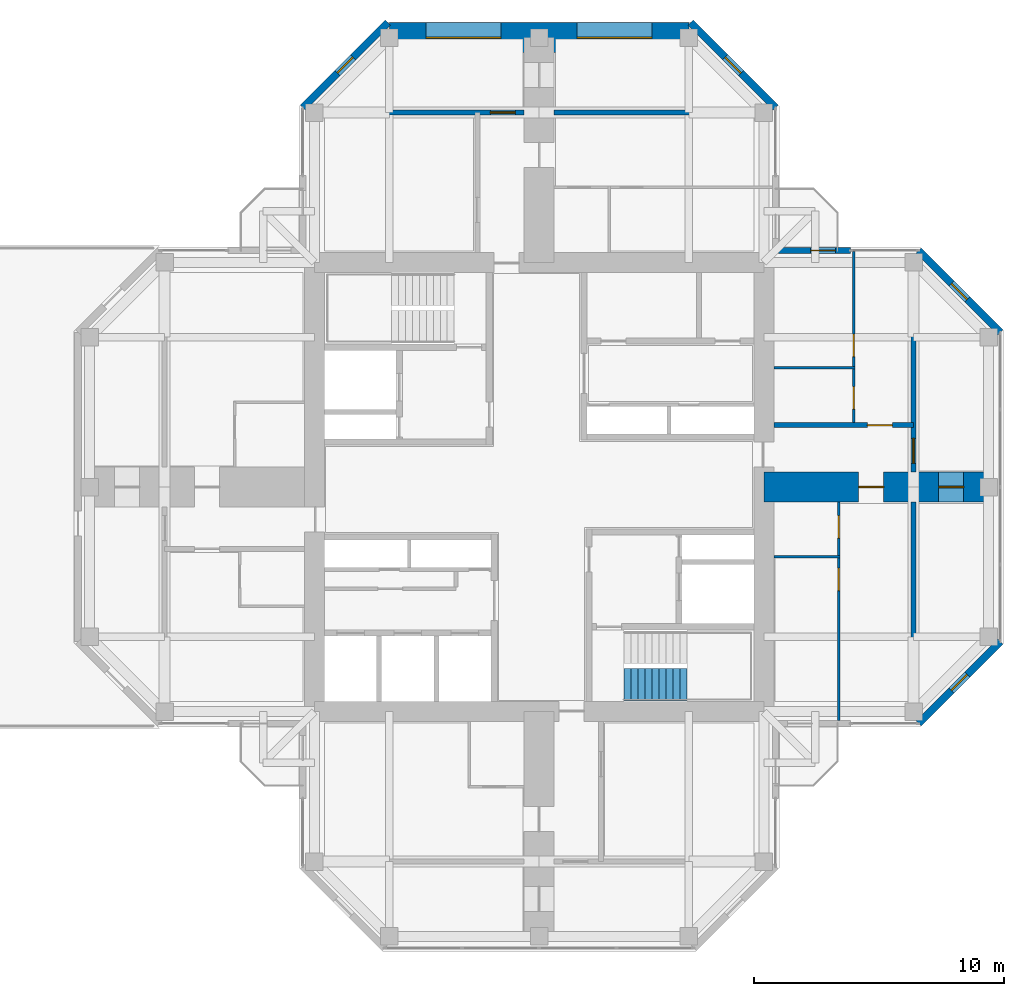
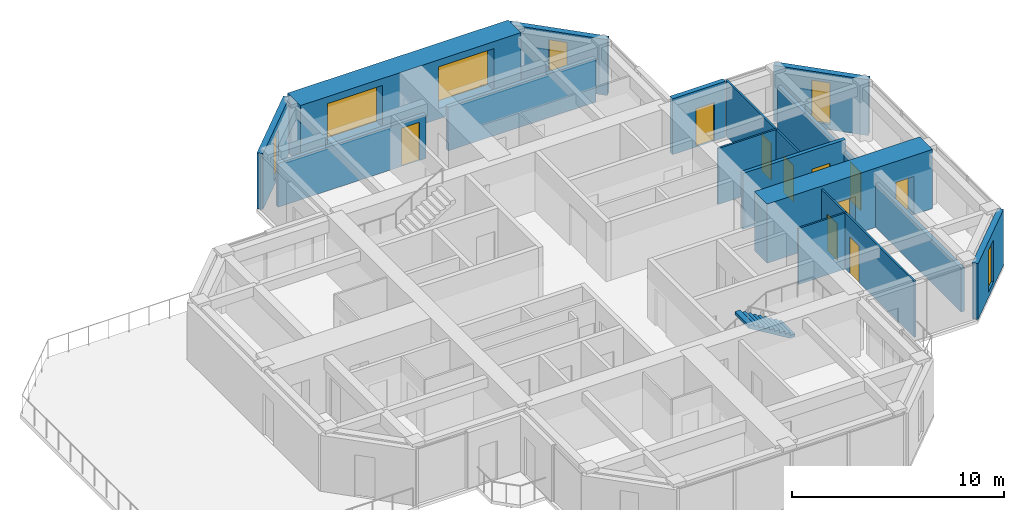
# One storey, part 11 of 14: 16 walls, 10 doors, 6 windows, 1 stair flight, 16 openings, 1 element without a shape of its own.
"""IFC4 building model written with IfcOpenShell, lengths in metres."""

from ifc_helpers import new_model, si_unit, direction, frame, frame_2d, origin, place, context, subcontext, project, spatial, polyline, rectangle, hollow_rectangle, outline, extrude, material, layer, layer_set, constituent, constituent_set, type_object, element, fill, aggregate, save


model = new_model("IFC4")

# Units and contexts
model_context = context("Model", 3, precision=1e-05, world=origin(), true_north=direction((0.0, 1.0)))
body_context = subcontext(model_context, "Body", "Model", "MODEL_VIEW")
ifc_project = project(units=[si_unit("LENGTHUNIT", "METRE"), si_unit("AREAUNIT", "SQUARE_METRE"), si_unit("VOLUMEUNIT", "CUBIC_METRE"), si_unit("PLANEANGLEUNIT", "RADIAN"), si_unit("MASSUNIT", "GRAM", prefix="KILO")], contexts=[model_context])

# Site, building, storey
site_placement = place(None, origin())
site = spatial("IfcSite", under=ifc_project, at=site_placement, CompositionType="ELEMENT")
building_placement = place(site_placement, origin())
building = spatial("IfcBuilding", under=site, at=building_placement, Name="Torre Cruceta", CompositionType="ELEMENT")
storey_placement = place(building_placement, frame((0.0, 0.0, 257.699951171875)))
storey = spatial("IfcBuildingStorey", under=building, at=storey_placement, Name="L66", CompositionType="ELEMENT", Elevation=257.699951171875)

# Wall
ifc_material_1 = material(Name="Water-resistant plasterboard on steel studs", Category="steel")
ifc_layer_1 = layer(ifc_material_1, 0.10009765625)
ifc_layer_set_1 = layer_set([ifc_layer_1], Name="Water-resistant plasterboard on steel studs")
wall_type_1 = type_object("IfcWallType", Name="BATHROOM WALL 100", PredefinedType="PARTITIONING", material=ifc_layer_set_1)
wall_1_placement = place(storey_placement, frame((9.39990234375, 4.77490234375, 0.0), z_axis=(0.0, 0.0, 1.0), x_axis=(1.0, 0.0, 0.0)))
element("IfcWall", 1, at=wall_1_placement, inside=storey, type_object=wall_type_1, Name="PT4 L66-E-U1LBB", PredefinedType="PARTITIONING", context=body_context, shape_type="SweptSolid", body=[
    extrude(rectangle(XDim=3.25, YDim=0.10009765625, at=frame_2d((1.625, 0.0))), origin(), (0.0, 0.0, 1.0), 3.219970703125),
])

# Wall, openings, doors
wall_2_placement = place(storey_placement, frame((12.60009765625, 2.574951171875, 0.0), z_axis=(0.0, 0.0, 1.0), x_axis=(0.0, 1.0, 0.0)))
wall_2 = element("IfcWall", 2, at=wall_2_placement, inside=storey, type_object=wall_type_1, Name="PT4 L66-E-U1LBS", PredefinedType="PARTITIONING", context=body_context, shape_type="SweptSolid", body=[
    extrude(rectangle(XDim=6.85498046875, YDim=0.10009765625, at=frame_2d((3.427490234375, 0.0))), origin(), (0.0, 0.0, 1.0), 3.219970703125),
])
opening_1_placement = place(wall_2_placement, frame((0.550048828125, 0.0, 0.0)))
opening_1 = element("IfcOpeningElement", 3, at=opening_1_placement, cuts=wall_2, Name="Opening D7", PredefinedType="OPENING", context=body_context, shape_type="SweptSolid", body=[
    extrude(rectangle(XDim=0.89990234375, YDim=2.10009765625, at=frame_2d((0.449951171875, 1.050048828125))), frame((0.0, 0.06005859375, 0.0), z_axis=(0.0, -1.0, 0.0), x_axis=(1.0, 0.0, 0.0)), (0.0, 0.0, 1.0), 0.1201171875),
])
opening_2_placement = place(wall_2_placement, frame((2.64990234375, 0.0, 0.0)))
opening_2 = element("IfcOpeningElement", 4, at=opening_2_placement, cuts=wall_2, Name="Opening D7", PredefinedType="OPENING", context=body_context, shape_type="SweptSolid", body=[
    extrude(rectangle(XDim=0.89990234375, YDim=2.10009765625, at=frame_2d((0.449951171875, 1.050048828125))), frame((0.0, 0.06005859375, 0.0), z_axis=(0.0, -1.0, 0.0), x_axis=(1.0, 0.0, 0.0)), (0.0, 0.0, 1.0), 0.1201171875),
])
ifc_material_2 = material(Name="Timber door", Category="wood")
door_type_1 = type_object("IfcDoorType", Name="BATHROOM DOOR 900X2100", OperationType="SINGLE_SWING_LEFT", PredefinedType="DOOR", material=ifc_material_2)
door_1_placement = place(opening_1_placement, origin())
door_1 = element("IfcDoor", 5, at=door_1_placement, inside=storey, type_object=door_type_1, Name="D7 L66-E-U1LBS-D1", OperationType="SINGLE_SWING_LEFT", OverallHeight=2.10009765625, OverallWidth=0.89990234375, PredefinedType="DOOR", context=body_context, shape_type="SweptSolid", body=[
    extrude(rectangle(XDim=0.89990234375, YDim=2.10009765625, at=frame_2d((0.449951171875, 1.050048828125))), frame((0.0, 0.02490234375, 0.0), z_axis=(0.0, -1.0, 0.0), x_axis=(1.0, 0.0, 0.0)), (0.0, 0.0, 1.0), 0.050048828125),
])
fill(opening_1, door_1)
door_2_placement = place(opening_2_placement, origin())
door_2 = element("IfcDoor", 6, at=door_2_placement, inside=storey, type_object=door_type_1, Name="D7 L66-E-U1LBS-D2", OperationType="SINGLE_SWING_LEFT", OverallHeight=2.10009765625, OverallWidth=0.89990234375, PredefinedType="DOOR", context=body_context, shape_type="SweptSolid", body=[
    extrude(rectangle(XDim=0.89990234375, YDim=2.10009765625, at=frame_2d((0.449951171875, 1.050048828125))), frame((0.0, 0.02490234375, 0.0), z_axis=(0.0, -1.0, 0.0), x_axis=(1.0, 0.0, 0.0)), (0.0, 0.0, 1.0), 0.050048828125),
])
fill(opening_2, door_2)

# Wall
wall_3_placement = place(storey_placement, frame((9.39990234375, -2.800048828125, 0.0), z_axis=(0.0, 0.0, 1.0), x_axis=(1.0, 0.0, 0.0)))
element("IfcWall", 7, at=wall_3_placement, inside=storey, type_object=wall_type_1, Name="PT4 L66-E-U1RBB", PredefinedType="PARTITIONING", context=body_context, shape_type="SweptSolid", body=[
    extrude(rectangle(XDim=2.650146484375, YDim=0.10009765625, at=frame_2d((1.3251953125, 0.0))), origin(), (0.0, 0.0, 1.0), 3.219970703125),
])

# Wall, openings, doors
wall_4_placement = place(storey_placement, frame((12.0, -9.344970703125, 0.0), z_axis=(0.0, 0.0, 1.0), x_axis=(0.0, 1.0, 0.0)))
wall_4 = element("IfcWall", 8, at=wall_4_placement, inside=storey, type_object=wall_type_1, Name="PT4 L66-E-U1RBS", PredefinedType="PARTITIONING", context=body_context, shape_type="SweptSolid", body=[
    extrude(rectangle(XDim=8.744873046875, YDim=0.10009765625, at=frame_2d((4.37255859375, 0.0))), origin(), (0.0, 0.0, 1.0), 3.219970703125),
])
opening_3_placement = place(wall_4_placement, frame((5.195068359375, 0.0, 0.0)))
opening_3 = element("IfcOpeningElement", 9, at=opening_3_placement, cuts=wall_4, Name="Opening D7", PredefinedType="OPENING", context=body_context, shape_type="SweptSolid", body=[
    extrude(rectangle(XDim=0.89990234375, YDim=2.10009765625, at=frame_2d((0.449951171875, 1.050048828125))), frame((0.0, 0.06005859375, 0.0), z_axis=(0.0, -1.0, 0.0), x_axis=(1.0, 0.0, 0.0)), (0.0, 0.0, 1.0), 0.1201171875),
])
opening_4_placement = place(wall_4_placement, frame((7.294921875, 0.0, 0.0)))
opening_4 = element("IfcOpeningElement", 10, at=opening_4_placement, cuts=wall_4, Name="Opening D7", PredefinedType="OPENING", context=body_context, shape_type="SweptSolid", body=[
    extrude(rectangle(XDim=0.89990234375, YDim=2.10009765625, at=frame_2d((0.449951171875, 1.050048828125))), frame((0.0, 0.06005859375, 0.0), z_axis=(0.0, -1.0, 0.0), x_axis=(1.0, 0.0, 0.0)), (0.0, 0.0, 1.0), 0.1201171875),
])
door_3_placement = place(opening_3_placement, origin())
door_3 = element("IfcDoor", 11, at=door_3_placement, inside=storey, type_object=door_type_1, Name="D7 L66-E-U1RBS-D1", OperationType="SINGLE_SWING_RIGHT", OverallHeight=2.10009765625, OverallWidth=0.89990234375, PredefinedType="DOOR", context=body_context, shape_type="SweptSolid", body=[
    extrude(rectangle(XDim=0.89990234375, YDim=2.10009765625, at=frame_2d((0.449951171875, 1.050048828125))), frame((0.0, 0.02490234375, 0.0), z_axis=(0.0, -1.0, 0.0), x_axis=(1.0, 0.0, 0.0)), (0.0, 0.0, 1.0), 0.050048828125),
])
fill(opening_3, door_3)
door_4_placement = place(opening_4_placement, origin())
door_4 = element("IfcDoor", 12, at=door_4_placement, inside=storey, type_object=door_type_1, Name="D7 L66-E-U1RBS-D2", OperationType="SINGLE_SWING_RIGHT", OverallHeight=2.10009765625, OverallWidth=0.89990234375, PredefinedType="DOOR", context=body_context, shape_type="SweptSolid", body=[
    extrude(rectangle(XDim=0.89990234375, YDim=2.10009765625, at=frame_2d((0.449951171875, 1.050048828125))), frame((0.0, 0.02490234375, 0.0), z_axis=(0.0, -1.0, 0.0), x_axis=(1.0, 0.0, 0.0)), (0.0, 0.0, 1.0), 0.050048828125),
])
fill(opening_4, door_4)

# Wall, opening, door
ifc_material_3 = material(Name="Concrete G25 (fck 25 MPa)", Category="concrete")
ifc_layer_2 = layer(ifc_material_3, 0.199951171875)
ifc_layer_set_2 = layer_set([ifc_layer_2], Name="Concrete G25 (fck 25 MPa)")
wall_type_2 = type_object("IfcWallType", Name="CORRIDOR WALL 200", PredefinedType="SOLIDWALL", material=ifc_layer_set_2)
wall_5_placement = place(storey_placement, frame((9.39990234375, 2.47509765625, 0.0), z_axis=(0.0, 0.0, 1.0), x_axis=(1.0, 0.0, 0.0)))
wall_5 = element("IfcWall", 13, at=wall_5_placement, inside=storey, type_object=wall_type_2, Name="PT3 L66-E-CL", PredefinedType="SOLIDWALL", context=body_context, shape_type="SweptSolid", body=[
    extrude(rectangle(XDim=5.60009765625, YDim=0.199951171875, at=frame_2d((2.800048828125, 0.0))), origin(), (0.0, 0.0, 1.0), 3.219970703125),
])
opening_5_placement = place(wall_5_placement, frame((3.75, 0.0, 0.0)))
opening_5 = element("IfcOpeningElement", 14, at=opening_5_placement, cuts=wall_5, Name="Opening D6", PredefinedType="OPENING", context=body_context, shape_type="SweptSolid", body=[
    extrude(rectangle(XDim=1.0, YDim=2.14990234375, at=frame_2d((0.5, 1.074951171875))), frame((0.0, 0.10986328125, 0.0), z_axis=(0.0, -1.0, 0.0), x_axis=(1.0, 0.0, 0.0)), (0.0, 0.0, 1.0), 0.219970703125),
])
ifc_material_4 = material(Name="Timber fire door", Category="wood")
door_type_2 = type_object("IfcDoorType", Name="UNIT ENTRANCE DOOR 1000X2150", OperationType="SINGLE_SWING_LEFT", PredefinedType="DOOR", material=ifc_material_4)
door_5_placement = place(opening_5_placement, origin())
door_5 = element("IfcDoor", 15, at=door_5_placement, inside=storey, type_object=door_type_2, Name="D6 L66-E-CL-D1", OperationType="SINGLE_SWING_LEFT", OverallHeight=2.14990234375, OverallWidth=1.0, PredefinedType="DOOR", context=body_context, shape_type="SweptSolid", body=[
    extrude(rectangle(XDim=1.0, YDim=2.14990234375, at=frame_2d((0.5, 1.074951171875))), frame((0.0, 0.02490234375, 0.0), z_axis=(0.0, -1.0, 0.0), x_axis=(1.0, 0.0, 0.0)), (0.0, 0.0, 1.0), 0.050048828125),
])
fill(opening_5, door_5)

# Wall, opening, window
ifc_material_5 = material(Name="Concrete G30 (fck 30 MPa)", Category="concrete")
ifc_layer_3 = layer(ifc_material_5, 0.300048828125)
ifc_layer_set_3 = layer_set([ifc_layer_3], Name="Concrete G30 (fck 30 MPa)")
wall_type_3 = type_object("IfcWallType", Name="EXPOSED CONCRETE FACADE WALL 300", PredefinedType="SOLIDWALL", material=ifc_layer_set_3)
wall_6_placement = place(storey_placement, frame((15.194580078125, -9.469970703125, 0.0), z_axis=(0.0, 0.0, 1.0), x_axis=(0.707106781187, 0.707106781187, 0.0)))
wall_6 = element("IfcWall", 16, at=wall_6_placement, inside=storey, type_object=wall_type_3, Name="EW1 facade wall L66 E chamfer 01", PredefinedType="SOLIDWALL", context=body_context, shape_type="SweptSolid", body=[
    extrude(rectangle(XDim=4.632080078125, YDim=0.300048828125, at=frame_2d((2.31591796875, 0.0))), origin(), (0.0, 0.0, 1.0), 3.219970703125),
])
opening_6_placement = place(wall_6_placement, frame((1.865966796875, 0.0, 0.300048828125)))
opening_6 = element("IfcOpeningElement", 17, at=opening_6_placement, cuts=wall_6, Name="Opening WN5", PredefinedType="OPENING", context=body_context, shape_type="SweptSolid", body=[
    extrude(rectangle(XDim=0.89990234375, YDim=2.39990234375, at=frame_2d((0.449951171875, 1.199951171875))), frame((0.0, 0.159912109375, 0.0), z_axis=(0.0, -1.0, 0.0), x_axis=(1.0, 0.0, 0.0)), (0.0, 0.0, 1.0), 0.320068359375),
])
ifc_material_6 = material(Name="Aluminium window frame", Category="aluminium")
ifc_constituent_1 = constituent(ifc_material_6, Name="Frame")
ifc_material_7 = material(Name="Laminated insulating glass unit, low-iron clear", Category="glass")
ifc_constituent_2 = constituent(ifc_material_7, Name="Glazing")
ifc_constituent_set_1 = constituent_set(constituents=[ifc_constituent_1, ifc_constituent_2], Name="Aluminium window")
window_type_1 = type_object("IfcWindowType", Name="CHAMFER SLOT WINDOW 900X2400", PartitioningType="SINGLE_PANEL", PredefinedType="WINDOW", material=ifc_constituent_set_1)
window_1_placement = place(opening_6_placement, origin())
window_1 = element("IfcWindow", 18, at=window_1_placement, inside=storey, type_object=window_type_1, Name="WN5 L66 E 1", OverallHeight=2.39990234375, OverallWidth=0.89990234375, PartitioningType="SINGLE_PANEL", PredefinedType="WINDOW", context=body_context, shape_type="SweptSolid", body=[
    extrude(hollow_rectangle(XDim=0.89990234375, YDim=2.39990234375, WallThickness=0.06005859375, at=frame_2d((0.449951171875, 1.199951171875))), frame((0.0, 0.030029296875, 0.0), z_axis=(0.0, -1.0, 0.0), x_axis=(1.0, 0.0, 0.0)), (0.0, 0.0, 1.0), 0.06005859375),
    extrude(rectangle(XDim=0.77880859375, YDim=2.27880859375, at=frame_2d((0.449951171875, 1.199951171875))), frame((0.0, 0.030029296875, 0.0), z_axis=(0.0, -1.0, 0.0), x_axis=(1.0, 0.0, 0.0)), (0.0, 0.0, 1.0), 0.06005859375),
])
fill(opening_6, window_1)

wall_7_placement = place(storey_placement, frame((18.469970703125, 6.194580078125, 0.0), z_axis=(0.0, 0.0, 1.0), x_axis=(-0.707106781187, 0.707106781187, 0.0)))
wall_7 = element("IfcWall", 19, at=wall_7_placement, inside=storey, type_object=wall_type_3, Name="EW1 facade wall L66 E chamfer 03", PredefinedType="SOLIDWALL", context=body_context, shape_type="SweptSolid", body=[
    extrude(rectangle(XDim=4.632080078125, YDim=0.300048828125, at=frame_2d((2.31591796875, 0.0))), origin(), (0.0, 0.0, 1.0), 3.219970703125),
])
opening_7_placement = place(wall_7_placement, frame((1.865966796875, 0.0, 0.300048828125)))
opening_7 = element("IfcOpeningElement", 20, at=opening_7_placement, cuts=wall_7, Name="Opening WN5", PredefinedType="OPENING", context=body_context, shape_type="SweptSolid", body=[
    extrude(rectangle(XDim=0.89990234375, YDim=2.39990234375, at=frame_2d((0.449951171875, 1.199951171875))), frame((0.0, 0.159912109375, 0.0), z_axis=(0.0, -1.0, 0.0), x_axis=(1.0, 0.0, 0.0)), (0.0, 0.0, 1.0), 0.320068359375),
])
window_2_placement = place(opening_7_placement, origin())
window_2 = element("IfcWindow", 21, at=window_2_placement, inside=storey, type_object=window_type_1, Name="WN5 L66 E 1", OverallHeight=2.39990234375, OverallWidth=0.89990234375, PartitioningType="SINGLE_PANEL", PredefinedType="WINDOW", context=body_context, shape_type="SweptSolid", body=[
    extrude(hollow_rectangle(XDim=0.89990234375, YDim=2.39990234375, WallThickness=0.06005859375, at=frame_2d((0.449951171875, 1.199951171875))), frame((0.0, 0.030029296875, 0.0), z_axis=(0.0, -1.0, 0.0), x_axis=(1.0, 0.0, 0.0)), (0.0, 0.0, 1.0), 0.06005859375),
    extrude(rectangle(XDim=0.77880859375, YDim=2.27880859375, at=frame_2d((0.449951171875, 1.199951171875))), frame((0.0, 0.030029296875, 0.0), z_axis=(0.0, -1.0, 0.0), x_axis=(1.0, 0.0, 0.0)), (0.0, 0.0, 1.0), 0.06005859375),
])
fill(opening_7, window_2)

wall_8_placement = place(storey_placement, frame((9.469970703125, 15.194580078125, 0.0), z_axis=(0.0, 0.0, 1.0), x_axis=(-0.707081433678, 0.707132127787, 0.0)))
wall_8 = element("IfcWall", 22, at=wall_8_placement, inside=storey, type_object=wall_type_3, Name="EW1 facade wall L66 N chamfer 06", PredefinedType="SOLIDWALL", context=body_context, shape_type="SweptSolid", body=[
    extrude(rectangle(XDim=4.81591796875, YDim=0.300048828125, at=frame_2d((2.407958984375, 0.0))), origin(), (0.0, 0.0, 1.0), 3.219970703125),
])
opening_8_placement = place(wall_8_placement, frame((1.9580078125, 0.0, 0.300048828125)))
opening_8 = element("IfcOpeningElement", 23, at=opening_8_placement, cuts=wall_8, Name="Opening WN5", PredefinedType="OPENING", context=body_context, shape_type="SweptSolid", body=[
    extrude(rectangle(XDim=0.89990234375, YDim=2.39990234375, at=frame_2d((0.449951171875, 1.199951171875))), frame((0.0, 0.159912109375, 0.0), z_axis=(0.0, -1.0, 0.0), x_axis=(1.0, 0.0, 0.0)), (0.0, 0.0, 1.0), 0.320068359375),
])
window_3_placement = place(opening_8_placement, origin())
window_3 = element("IfcWindow", 24, at=window_3_placement, inside=storey, type_object=window_type_1, Name="WN5 L66 N 1", OverallHeight=2.39990234375, OverallWidth=0.89990234375, PartitioningType="SINGLE_PANEL", PredefinedType="WINDOW", context=body_context, shape_type="SweptSolid", body=[
    extrude(hollow_rectangle(XDim=0.89990234375, YDim=2.39990234375, WallThickness=0.06005859375, at=frame_2d((0.449951171875, 1.199951171875))), frame((0.0, 0.030029296875, 0.0), z_axis=(0.0, -1.0, 0.0), x_axis=(1.0, 0.0, 0.0)), (0.0, 0.0, 1.0), 0.06005859375),
    extrude(rectangle(XDim=0.77880859375, YDim=2.27880859375, at=frame_2d((0.449951171875, 1.199951171875))), frame((0.0, 0.030029296875, 0.0), z_axis=(0.0, -1.0, 0.0), x_axis=(1.0, 0.0, 0.0)), (0.0, 0.0, 1.0), 0.06005859375),
])
fill(opening_8, window_3)

wall_9_placement = place(storey_placement, frame((-6.064697265625, 18.60009765625, 0.0), z_axis=(0.0, 0.0, 1.0), x_axis=(-0.707081433678, -0.707132127787, 0.0)))
wall_9 = element("IfcWall", 25, at=wall_9_placement, inside=storey, type_object=wall_type_3, Name="EW1 facade wall L66 N chamfer 08", PredefinedType="SOLIDWALL", context=body_context, shape_type="SweptSolid", body=[
    extrude(rectangle(XDim=4.81591796875, YDim=0.300048828125, at=frame_2d((2.407958984375, 0.0))), origin(), (0.0, 0.0, 1.0), 3.219970703125),
])
opening_9_placement = place(wall_9_placement, frame((1.9580078125, 0.0, 0.300048828125)))
opening_9 = element("IfcOpeningElement", 26, at=opening_9_placement, cuts=wall_9, Name="Opening WN5", PredefinedType="OPENING", context=body_context, shape_type="SweptSolid", body=[
    extrude(rectangle(XDim=0.89990234375, YDim=2.39990234375, at=frame_2d((0.449951171875, 1.199951171875))), frame((0.0, 0.159912109375, 0.0), z_axis=(0.0, -1.0, 0.0), x_axis=(1.0, 0.0, 0.0)), (0.0, 0.0, 1.0), 0.320068359375),
])
window_4_placement = place(opening_9_placement, origin())
window_4 = element("IfcWindow", 27, at=window_4_placement, inside=storey, type_object=window_type_1, Name="WN5 L66 N 1", OverallHeight=2.39990234375, OverallWidth=0.89990234375, PartitioningType="SINGLE_PANEL", PredefinedType="WINDOW", context=body_context, shape_type="SweptSolid", body=[
    extrude(hollow_rectangle(XDim=0.89990234375, YDim=2.39990234375, WallThickness=0.06005859375, at=frame_2d((0.449951171875, 1.199951171875))), frame((0.0, 0.030029296875, 0.0), z_axis=(0.0, -1.0, 0.0), x_axis=(1.0, 0.0, 0.0)), (0.0, 0.0, 1.0), 0.06005859375),
    extrude(rectangle(XDim=0.77880859375, YDim=2.27880859375, at=frame_2d((0.449951171875, 1.199951171875))), frame((0.0, 0.030029296875, 0.0), z_axis=(0.0, -1.0, 0.0), x_axis=(1.0, 0.0, 0.0)), (0.0, 0.0, 1.0), 0.06005859375),
])
fill(opening_9, window_4)

# Wall, openings, windows
ifc_material_8 = material(Name="Concrete G60 (fck 60 MPa)", Category="concrete")
ifc_layer_4 = layer(ifc_material_8, 1.199951171875)
ifc_layer_set_4 = layer_set([ifc_layer_4], Name="Concrete G60 (fck 60 MPa)")
wall_type_4 = type_object("IfcWallType", Name="NOSE WALL 1200 G60", PredefinedType="SHEAR", material=ifc_layer_set_4)
wall_10_placement = place(storey_placement, frame((6.0, 18.0, 0.0), z_axis=(0.0, 0.0, 1.0), x_axis=(-1.0, 0.0, 0.0)))
wall_10 = element("IfcWall", 28, at=wall_10_placement, inside=storey, type_object=wall_type_4, Name="NW1 nose wall L66 N", PredefinedType="SHEAR", context=body_context, shape_type="SweptSolid", body=[
    extrude(rectangle(XDim=12.0, YDim=1.199951171875, at=frame_2d((6.0, 0.0))), origin(), (0.0, 0.0, 1.0), 3.400146484375),
])
opening_10_placement = place(wall_10_placement, frame((1.47509765625, 0.0, 0.60009765625)))
opening_10 = element("IfcOpeningElement", 29, at=opening_10_placement, cuts=wall_10, Name="Opening WN6", PredefinedType="OPENING", context=body_context, shape_type="SweptSolid", body=[
    extrude(rectangle(XDim=3.0, YDim=2.39990234375, at=frame_2d((1.5, 1.199951171875))), frame((0.0, 0.60986328125, 0.0), z_axis=(0.0, -1.0, 0.0), x_axis=(1.0, 0.0, 0.0)), (0.0, 0.0, 1.0), 1.219970703125),
])
opening_11_placement = place(wall_10_placement, frame((7.52490234375, 0.0, 0.60009765625)))
opening_11 = element("IfcOpeningElement", 30, at=opening_11_placement, cuts=wall_10, Name="Opening WN6", PredefinedType="OPENING", context=body_context, shape_type="SweptSolid", body=[
    extrude(rectangle(XDim=3.0, YDim=2.39990234375, at=frame_2d((1.5, 1.199951171875))), frame((0.0, 0.60986328125, 0.0), z_axis=(0.0, -1.0, 0.0), x_axis=(1.0, 0.0, 0.0)), (0.0, 0.0, 1.0), 1.219970703125),
])
ifc_material_9 = material(Name="Aluminium window frame", Category="aluminium")
ifc_constituent_3 = constituent(ifc_material_9, Name="Frame")
ifc_material_10 = material(Name="Laminated insulating glass unit, low-iron clear", Category="glass")
ifc_constituent_4 = constituent(ifc_material_10, Name="Glazing")
ifc_constituent_set_2 = constituent_set(constituents=[ifc_constituent_3, ifc_constituent_4], Name="Aluminium window")
window_type_2 = type_object("IfcWindowType", Name="NOSE WALL WINDOW 3000X2400", PartitioningType="SINGLE_PANEL", PredefinedType="WINDOW", material=ifc_constituent_set_2)
window_5_placement = place(opening_10_placement, origin())
window_5 = element("IfcWindow", 31, at=window_5_placement, inside=storey, type_object=window_type_2, Name="WN6 L66 N 1", OverallHeight=2.39990234375, OverallWidth=3.0, PartitioningType="SINGLE_PANEL", PredefinedType="WINDOW", context=body_context, shape_type="SweptSolid", body=[
    extrude(hollow_rectangle(XDim=3.0, YDim=2.39990234375, WallThickness=0.06005859375, at=frame_2d((1.5, 1.199951171875))), frame((0.0, 0.030029296875, 0.0), z_axis=(0.0, -1.0, 0.0), x_axis=(1.0, 0.0, 0.0)), (0.0, 0.0, 1.0), 0.06005859375),
    extrude(rectangle(XDim=2.87890625, YDim=2.27880859375, at=frame_2d((1.5, 1.199951171875))), frame((0.0, 0.030029296875, 0.0), z_axis=(0.0, -1.0, 0.0), x_axis=(1.0, 0.0, 0.0)), (0.0, 0.0, 1.0), 0.06005859375),
])
fill(opening_10, window_5)
window_6_placement = place(opening_11_placement, origin())
window_6 = element("IfcWindow", 32, at=window_6_placement, inside=storey, type_object=window_type_2, Name="WN6 L66 N 2", OverallHeight=2.39990234375, OverallWidth=3.0, PartitioningType="SINGLE_PANEL", PredefinedType="WINDOW", context=body_context, shape_type="SweptSolid", body=[
    extrude(hollow_rectangle(XDim=3.0, YDim=2.39990234375, WallThickness=0.06005859375, at=frame_2d((1.5, 1.199951171875))), frame((0.0, 0.030029296875, 0.0), z_axis=(0.0, -1.0, 0.0), x_axis=(1.0, 0.0, 0.0)), (0.0, 0.0, 1.0), 0.06005859375),
    extrude(rectangle(XDim=2.87890625, YDim=2.27880859375, at=frame_2d((1.5, 1.199951171875))), frame((0.0, 0.030029296875, 0.0), z_axis=(0.0, -1.0, 0.0), x_axis=(1.0, 0.0, 0.0)), (0.0, 0.0, 1.0), 0.06005859375),
])
fill(opening_11, window_6)

# Wall, openings, doors
ifc_material_11 = material(Name="Concrete G60 (fck 60 MPa)", Category="concrete")
ifc_layer_5 = layer(ifc_material_11, 1.199951171875)
ifc_layer_set_5 = layer_set([ifc_layer_5], Name="Concrete G60 (fck 60 MPa)")
wall_type_5 = type_object("IfcWallType", Name="SPINE WALL 1200 G60", PredefinedType="SHEAR", material=ifc_layer_set_5)
wall_11_placement = place(storey_placement, frame((9.0, 0.0, 0.0), z_axis=(0.0, 0.0, 1.0), x_axis=(1.0, 0.0, 0.0)))
wall_11 = element("IfcWall", 33, at=wall_11_placement, inside=storey, type_object=wall_type_5, Name="SW3 spine wall L66 E", PredefinedType="SHEAR", context=body_context, shape_type="SweptSolid", body=[
    extrude(rectangle(XDim=9.0, YDim=1.199951171875, at=frame_2d((4.5, 0.0))), origin(), (0.0, 0.0, 1.0), 3.400146484375),
])
opening_12_placement = place(wall_11_placement, frame((3.800048828125, 0.0, 0.0)))
opening_12 = element("IfcOpeningElement", 34, at=opening_12_placement, cuts=wall_11, Name="Opening D6", PredefinedType="OPENING", context=body_context, shape_type="SweptSolid", body=[
    extrude(rectangle(XDim=1.0, YDim=2.14990234375, at=frame_2d((0.5, 1.074951171875))), frame((0.0, 0.60986328125, 0.0), z_axis=(0.0, -1.0, 0.0), x_axis=(1.0, 0.0, 0.0)), (0.0, 0.0, 1.0), 1.219970703125),
])
opening_13_placement = place(wall_11_placement, frame((7.0, 0.0, 0.0)))
opening_13 = element("IfcOpeningElement", 35, at=opening_13_placement, cuts=wall_11, Name="Opening D14", PredefinedType="OPENING", context=body_context, shape_type="SweptSolid", body=[
    extrude(rectangle(XDim=1.0, YDim=2.199951171875, at=frame_2d((0.5, 1.10009765625))), frame((0.0, 0.60986328125, 0.0), z_axis=(0.0, -1.0, 0.0), x_axis=(1.0, 0.0, 0.0)), (0.0, 0.0, 1.0), 1.219970703125),
])
ifc_material_12 = material(Name="Steel DX51D", Category="steel")
ifc_constituent_5 = constituent(ifc_material_12, Name="Leaf and frame")
ifc_material_13 = material(Name="Polyester powder coating", Category="paint")
ifc_constituent_6 = constituent(ifc_material_13, Name="Finish")
ifc_material_14 = material(Name="Fire-resisting glass", Category="glass")
ifc_constituent_7 = constituent(ifc_material_14, Name="Vision panel")
ifc_constituent_set_3 = constituent_set(constituents=[ifc_constituent_5, ifc_constituent_6, ifc_constituent_7], Name="Steel fire door with vision panel")
door_type_3 = type_object("IfcDoorType", Name="FIRE DOOR VISION PANEL 1000X2200", OperationType="SINGLE_SWING_RIGHT", PredefinedType="DOOR", material=ifc_constituent_set_3)
door_6_placement = place(opening_13_placement, origin())
door_6 = element("IfcDoor", 36, at=door_6_placement, inside=storey, type_object=door_type_3, Name="D14 L66-E-SP2", OperationType="SINGLE_SWING_LEFT", OverallHeight=2.199951171875, OverallWidth=1.0, PredefinedType="DOOR", context=body_context, shape_type="SweptSolid", body=[
    extrude(rectangle(XDim=1.0, YDim=2.199951171875, at=frame_2d((0.5, 1.10009765625))), frame((0.0, 0.02490234375, 0.0), z_axis=(0.0, -1.0, 0.0), x_axis=(1.0, 0.0, 0.0)), (0.0, 0.0, 1.0), 0.050048828125),
])
fill(opening_13, door_6)
door_7_placement = place(opening_12_placement, frame((1.0, 0.0, 0.0), z_axis=(0.0, 0.0, 1.0), x_axis=(-1.0, 0.0, 0.0)))
door_7 = element("IfcDoor", 37, at=door_7_placement, inside=storey, type_object=door_type_2, Name="D6 L66-E-SP1", OperationType="SINGLE_SWING_RIGHT", OverallHeight=2.14990234375, OverallWidth=1.0, PredefinedType="DOOR", context=body_context, shape_type="SweptSolid", body=[
    extrude(rectangle(XDim=1.0, YDim=2.14990234375, at=frame_2d((0.5, 1.074951171875))), frame((0.0, 0.025146484375, 0.0), z_axis=(0.0, -1.0, 0.0), x_axis=(1.0, 0.0, 0.0)), (0.0, 0.0, 1.0), 0.050048828125),
])
fill(opening_12, door_7)

# Wall
ifc_material_15 = material(Name="Concrete G25 (fck 25 MPa)", Category="concrete")
ifc_layer_6 = layer(ifc_material_15, 0.199951171875)
ifc_layer_set_6 = layer_set([ifc_layer_6], Name="Concrete G25 (fck 25 MPa)")
wall_type_6 = type_object("IfcWallType", Name="UNIT SEPARATING WALL 200", PredefinedType="SOLIDWALL", material=ifc_layer_set_6)
wall_12_placement = place(storey_placement, frame((8.64990234375, 15.0, 0.0), z_axis=(0.0, 0.0, 1.0), x_axis=(-1.0, 0.0, 0.0)))
element("IfcWall", 38, at=wall_12_placement, inside=storey, type_object=wall_type_6, Name="PT2 L66-N-ENDa", PredefinedType="SOLIDWALL", context=body_context, shape_type="SweptSolid", body=[
    extrude(rectangle(XDim=8.0498046875, YDim=0.199951171875, at=frame_2d((4.02490234375, 0.0))), origin(), (0.0, 0.0, 1.0), 2.52001953125),
])

# Wall, opening, door
wall_13_placement = place(storey_placement, frame((-0.60009765625, 15.0, 0.0), z_axis=(0.0, 0.0, 1.0), x_axis=(-1.0, 0.0, 0.0)))
wall_13 = element("IfcWall", 39, at=wall_13_placement, inside=storey, type_object=wall_type_6, Name="PT2 L66-N-ENDb", PredefinedType="SOLIDWALL", context=body_context, shape_type="SweptSolid", body=[
    extrude(rectangle(XDim=8.0498046875, YDim=0.199951171875, at=frame_2d((4.02490234375, 0.0))), origin(), (0.0, 0.0, 1.0), 2.52001953125),
])
opening_14_placement = place(wall_13_placement, frame((0.35009765625, 0.0, 0.0)))
opening_14 = element("IfcOpeningElement", 40, at=opening_14_placement, cuts=wall_13, Name="Opening D14", PredefinedType="OPENING", context=body_context, shape_type="SweptSolid", body=[
    extrude(rectangle(XDim=1.0, YDim=2.199951171875, at=frame_2d((0.5, 1.10009765625))), frame((0.0, 0.10986328125, 0.0), z_axis=(0.0, -1.0, 0.0), x_axis=(1.0, 0.0, 0.0)), (0.0, 0.0, 1.0), 0.219970703125),
])
door_8_placement = place(opening_14_placement, frame((1.0, 0.0, 0.0), z_axis=(0.0, 0.0, 1.0), x_axis=(-1.0, 0.0, 0.0)))
door_8 = element("IfcDoor", 41, at=door_8_placement, inside=storey, type_object=door_type_3, Name="D14 L66-N-ENDb-D1", OperationType="SINGLE_SWING_RIGHT", OverallHeight=2.199951171875, OverallWidth=1.0, PredefinedType="DOOR", context=body_context, shape_type="SweptSolid", body=[
    extrude(rectangle(XDim=1.0, YDim=2.199951171875, at=frame_2d((0.5, 1.10009765625))), frame((0.0, 0.025146484375, 0.0), z_axis=(0.0, -1.0, 0.0), x_axis=(1.0, 0.0, 0.0)), (0.0, 0.0, 1.0), 0.050048828125),
])
fill(opening_14, door_8)

# Wall
wall_14_placement = place(storey_placement, frame((15.0, -8.64990234375, 0.0), z_axis=(0.0, 0.0, 1.0), x_axis=(0.0, 1.0, 0.0)))
element("IfcWall", 42, at=wall_14_placement, inside=storey, type_object=wall_type_6, Name="PT2 L66-E-ENDa", PredefinedType="SOLIDWALL", context=body_context, shape_type="SweptSolid", body=[
    extrude(rectangle(XDim=8.0498046875, YDim=0.199951171875, at=frame_2d((4.02490234375, 0.0))), origin(), (0.0, 0.0, 1.0), 2.52001953125),
])

# Wall, opening, door
wall_15_placement = place(storey_placement, frame((15.0, 0.60009765625, 0.0), z_axis=(0.0, 0.0, 1.0), x_axis=(0.0, 1.0, 0.0)))
wall_15 = element("IfcWall", 43, at=wall_15_placement, inside=storey, type_object=wall_type_6, Name="PT2 L66-E-ENDb", PredefinedType="SOLIDWALL", context=body_context, shape_type="SweptSolid", body=[
    extrude(rectangle(XDim=8.0498046875, YDim=0.199951171875, at=frame_2d((4.02490234375, 0.0))), origin(), (0.0, 0.0, 1.0), 2.52001953125),
])
opening_15_placement = place(wall_15_placement, frame((0.35009765625, 0.0, 0.0)))
opening_15 = element("IfcOpeningElement", 44, at=opening_15_placement, cuts=wall_15, Name="Opening D14", PredefinedType="OPENING", context=body_context, shape_type="SweptSolid", body=[
    extrude(rectangle(XDim=1.0, YDim=2.199951171875, at=frame_2d((0.5, 1.10009765625))), frame((0.0, 0.10986328125, 0.0), z_axis=(0.0, -1.0, 0.0), x_axis=(1.0, 0.0, 0.0)), (0.0, 0.0, 1.0), 0.219970703125),
])
door_9_placement = place(opening_15_placement, frame((1.0, 0.0, 0.0), z_axis=(0.0, 0.0, 1.0), x_axis=(-1.0, 0.0, 0.0)))
door_9 = element("IfcDoor", 45, at=door_9_placement, inside=storey, type_object=door_type_3, Name="D14 L66-E-ENDb-D1", OperationType="SINGLE_SWING_LEFT", OverallHeight=2.199951171875, OverallWidth=1.0, PredefinedType="DOOR", context=body_context, shape_type="SweptSolid", body=[
    extrude(rectangle(XDim=1.0, YDim=2.199951171875, at=frame_2d((0.5, 1.10009765625))), frame((0.0, 0.025146484375, 0.0), z_axis=(0.0, -1.0, 0.0), x_axis=(1.0, 0.0, 0.0)), (0.0, 0.0, 1.0), 0.050048828125),
])
fill(opening_15, door_9)

ifc_material_16 = material(Name="Concrete G30 (fck 30 MPa)", Category="concrete")
ifc_layer_7 = layer(ifc_material_16, 0.25)
ifc_layer_set_7 = layer_set([ifc_layer_7], Name="Concrete G30 (fck 30 MPa)")
wall_type_7 = type_object("IfcWallType", Name="WINTER GARDEN WALL 250", PredefinedType="SOLIDWALL", material=ifc_layer_set_7)
wall_16_placement = place(storey_placement, frame((12.469970703125, 9.469970703125, 0.0), z_axis=(0.0, 0.0, 1.0), x_axis=(-1.0, 0.0, 0.0)))
wall_16 = element("IfcWall", 46, at=wall_16_placement, inside=storey, type_object=wall_type_7, Name="EW2 winter garden wall L66 04", PredefinedType="SOLIDWALL", context=body_context, shape_type="SweptSolid", body=[
    extrude(rectangle(XDim=2.875, YDim=0.25, at=frame_2d((1.4375, 0.0))), origin(), (0.0, 0.0, 1.0), 3.219970703125),
])
opening_16_placement = place(wall_16_placement, frame((0.60009765625, 0.0, 0.0)))
opening_16 = element("IfcOpeningElement", 47, at=opening_16_placement, cuts=wall_16, Name="Opening D10", PredefinedType="OPENING", context=body_context, shape_type="SweptSolid", body=[
    extrude(rectangle(XDim=1.0, YDim=2.199951171875, at=frame_2d((0.5, 1.10009765625))), frame((0.0, 0.135009765625, 0.0), z_axis=(0.0, -1.0, 0.0), x_axis=(1.0, 0.0, 0.0)), (0.0, 0.0, 1.0), 0.27001953125),
])
ifc_material_17 = material(Name="Aluminium door frame", Category="aluminium")
ifc_constituent_8 = constituent(ifc_material_17, Name="Frame")
ifc_material_18 = material(Name="Laminated safety glass", Category="glass")
ifc_constituent_9 = constituent(ifc_material_18, Name="Glazing")
ifc_constituent_set_4 = constituent_set(constituents=[ifc_constituent_8, ifc_constituent_9], Name="Aluminium glazed door")
door_type_4 = type_object("IfcDoorType", Name="BALCONY DOOR 1000X2200", OperationType="SINGLE_SWING_RIGHT", PredefinedType="DOOR", material=ifc_constituent_set_4)
door_10_placement = place(opening_16_placement, origin())
door_10 = element("IfcDoor", 48, at=door_10_placement, inside=storey, type_object=door_type_4, Name="D10 balcony door L66 04", OperationType="SINGLE_SWING_LEFT", OverallHeight=2.199951171875, OverallWidth=1.0, PredefinedType="DOOR", context=body_context, shape_type="SweptSolid", body=[
    extrude(hollow_rectangle(XDim=1.0, YDim=2.199951171875, WallThickness=0.06005859375, at=frame_2d((0.5, 1.10009765625))), frame((0.0, 0.02490234375, 0.0), z_axis=(0.0, -1.0, 0.0), x_axis=(1.0, 0.0, 0.0)), (0.0, 0.0, 1.0), 0.050048828125),
    extrude(rectangle(XDim=0.87890625, YDim=2.078857421875, at=frame_2d((0.5, 1.10009765625))), frame((0.0, 0.02490234375, 0.0), z_axis=(0.0, -1.0, 0.0), x_axis=(1.0, 0.0, 0.0)), (0.0, 0.0, 1.0), 0.050048828125),
])
fill(opening_16, door_10)

# Stair, stair flight
ifc_material_19 = material(Name="Concrete G30 (fck 30 MPa)", Category="concrete")
stair_type = type_object("IfcStairType", Name="STAIR HALF-TURN 1300", PredefinedType="HALF_TURN_STAIR", material=ifc_material_19)
stair_placement = place(storey_placement, origin())
stair = element("IfcStair", 49, at=stair_placement, inside=storey, type_object=stair_type, Name="Stair ST2 L66", PredefinedType="HALF_TURN_STAIR")
ifc_material_20 = material(Name="Concrete G30 (fck 30 MPa)", Category="concrete")
stair_flight_type = type_object("IfcStairFlightType", Name="STAIR FLIGHT 1300", PredefinedType="STRAIGHT", material=ifc_material_20)
stair_flight_placement = place(storey_placement, frame((5.919921875, -7.925048828125, 1.699951171875), z_axis=(0.0, 0.0, 1.0), x_axis=(-1.0, 0.0, 0.0)))
stair_flight = element("IfcStairFlight", 50, at=stair_flight_placement, type_object=stair_flight_type, Name="ST2 flight 2", NumberOfRisers=10, NumberOfTreads=9, PredefinedType="STRAIGHT", RiserHeight=0.17, TreadLength=0.28, context=body_context, shape_type="SweptSolid", body=[
    extrude(outline(polyline([(0.0, 0.0), (0.0, 0.169921875), (0.280029296875, 0.169921875), (0.280029296875, 0.340087890625), (0.56005859375, 0.340087890625), (0.56005859375, 0.510009765625), (0.840087890625, 0.510009765625), (0.840087890625, 0.679931640625), (1.1201171875, 0.679931640625), (1.1201171875, 0.85009765625), (1.39990234375, 0.85009765625), (1.39990234375, 1.02001953125), (1.679931640625, 1.02001953125), (1.679931640625, 1.18994140625), (1.9599609375, 1.18994140625), (1.9599609375, 1.360107421875), (2.239990234375, 1.360107421875), (2.239990234375, 1.530029296875), (2.52001953125, 1.530029296875), (2.52001953125, 1.699951171875), (2.52001953125, 1.354736328125), (0.288818359375, 0.0), (0.0, 0.0)])), frame((0.0, 0.64990234375, 0.0), z_axis=(0.0, -1.0, 0.0), x_axis=(1.0, 0.0, 0.0)), (0.0, 0.0, 1.0), 1.300048828125),
])
aggregate(stair, [stair_flight])

save(model, "model.ifc")
